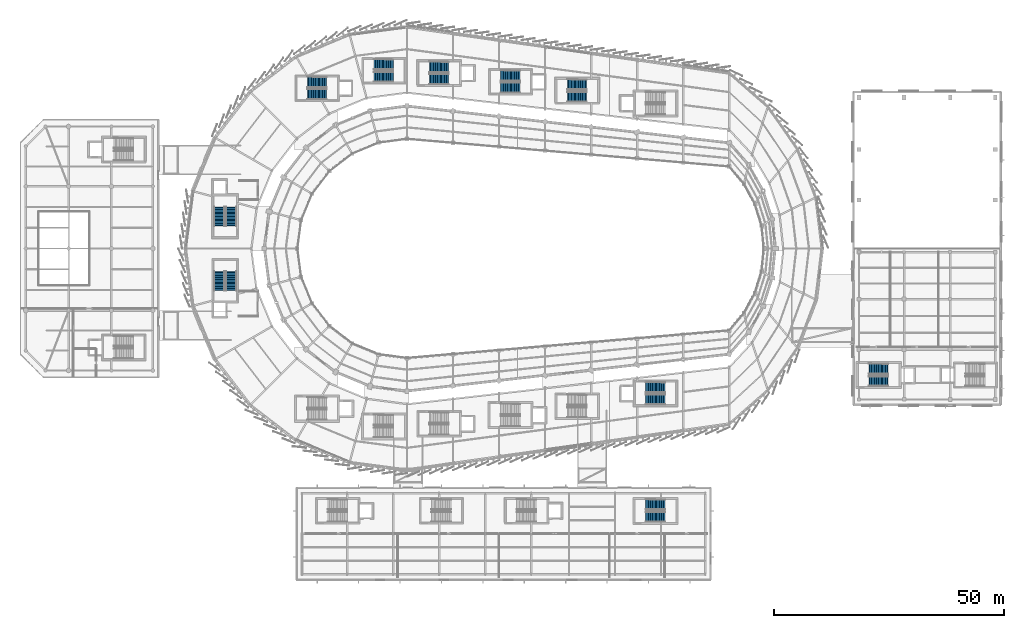
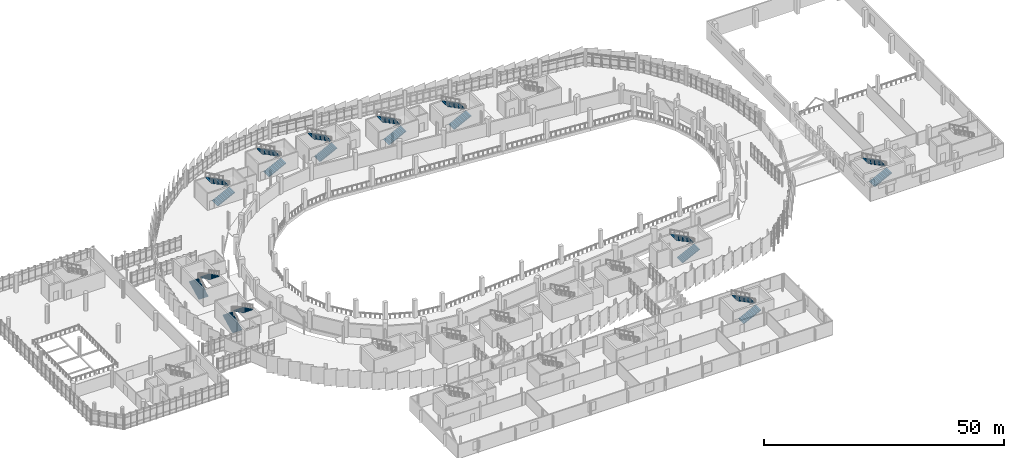
# One storey, part 111 of 125: 20 stair flights, 10 elements without a shape of their own.
"""IFC4 building model written with IfcOpenShell, lengths in metres."""

from ifc_helpers import new_model, si_unit, direction, frame, origin, place, context, subcontext, project, spatial, polyline, outline, extrude, material, type_object, element, aggregate, save


model = new_model("IFC4")

# Units and contexts
model_context = context("Model", 3, precision=1e-05, world=origin(), true_north=direction((0.0, 1.0)))
body_context = subcontext(model_context, "Body", "Model", "MODEL_VIEW")
ifc_project = project(units=[si_unit("LENGTHUNIT", "METRE"), si_unit("AREAUNIT", "SQUARE_METRE"), si_unit("VOLUMEUNIT", "CUBIC_METRE"), si_unit("PLANEANGLEUNIT", "RADIAN"), si_unit("MASSUNIT", "GRAM", prefix="KILO")], contexts=[model_context])

# Site, building, storey
site_placement = place(None, origin())
site = spatial("IfcSite", under=ifc_project, at=site_placement, CompositionType="ELEMENT")
building_placement = place(site_placement, origin())
building = spatial("IfcBuilding", under=site, at=building_placement, Name="Sohan Crest Arena", CompositionType="ELEMENT")
storey_placement = place(building_placement, frame((0.0, 0.0, 9.0)))
storey = spatial("IfcBuildingStorey", under=building, at=storey_placement, Name="L02", CompositionType="ELEMENT", Elevation=9.0)

# Stair, stair flights
ifc_material = material(Name="Concrete C40/50", Category="concrete")
stair_type_1 = type_object("IfcStairType", Name="ST-450W", PredefinedType="TWO_STRAIGHT_RUN_STAIR", material=ifc_material)
stair_1_placement = place(storey_placement, origin())
stair_1 = element("IfcStair", 1, at=stair_1_placement, inside=storey, type_object=stair_type_1, Name="Protected exit stair ST11-L02", PredefinedType="TWO_STRAIGHT_RUN_STAIR")
stair_flight_type_1 = type_object("IfcStairFlightType", Name="FL-220-15", PredefinedType="STRAIGHT", material=ifc_material)
stair_flight_1_placement = place(storey_placement, frame((149.85009765625, 19.64990234375, 0.0), z_axis=(0.0, 0.0, 1.0), x_axis=(1.0, 0.0, 0.0)))
stair_flight_1 = element("IfcStairFlight", 2, at=stair_flight_1_placement, type_object=stair_flight_type_1, Name="ST11-L02 flight 1", NumberOfRisers=15, NumberOfTreads=14, PredefinedType="STRAIGHT", RiserHeight=0.15, TreadLength=0.3, context=body_context, shape_type="SweptSolid", body=[
    extrude(outline(polyline([(0.0, 0.0), (0.0, 0.14990234375), (0.300048828125, 0.14990234375), (0.300048828125, 0.300048828125), (0.60009765625, 0.300048828125), (0.60009765625, 0.449951171875), (0.89990234375, 0.449951171875), (0.89990234375, 0.60009765625), (1.199951171875, 0.60009765625), (1.199951171875, 0.75), (1.5, 0.75), (1.5, 0.89990234375), (1.800048828125, 0.89990234375), (1.800048828125, 1.050048828125), (2.10009765625, 1.050048828125), (2.10009765625, 1.199951171875), (2.39990234375, 1.199951171875), (2.39990234375, 1.35009765625), (2.699951171875, 1.35009765625), (2.699951171875, 1.5), (3.0, 1.5), (3.0, 1.64990234375), (3.300048828125, 1.64990234375), (3.300048828125, 1.800048828125), (3.60009765625, 1.800048828125), (3.60009765625, 1.949951171875), (3.89990234375, 1.949951171875), (3.89990234375, 2.10009765625), (4.199951171875, 2.10009765625), (4.199951171875, 2.25), (4.199951171875, 1.932373046875), (0.335205078125, 0.0), (0.0, 0.0)])), frame((0.0, 1.10009765625, 0.0), z_axis=(0.0, -1.0, 0.0), x_axis=(1.0, 0.0, 0.0)), (0.0, 0.0, 1.0), 2.199951171875),
])
stair_flight_2_placement = place(storey_placement, frame((154.050048828125, 22.35009765625, 2.25), z_axis=(0.0, 0.0, 1.0), x_axis=(-1.0, 0.0, 0.0)))
stair_flight_2 = element("IfcStairFlight", 3, at=stair_flight_2_placement, type_object=stair_flight_type_1, Name="ST11-L02 flight 2", NumberOfRisers=15, NumberOfTreads=14, PredefinedType="STRAIGHT", RiserHeight=0.15, TreadLength=0.3, context=body_context, shape_type="SweptSolid", body=[
    extrude(outline(polyline([(0.0, 0.0), (0.0, 0.14990234375), (0.300048828125, 0.14990234375), (0.300048828125, 0.300048828125), (0.60009765625, 0.300048828125), (0.60009765625, 0.449951171875), (0.89990234375, 0.449951171875), (0.89990234375, 0.60009765625), (1.199951171875, 0.60009765625), (1.199951171875, 0.75), (1.5, 0.75), (1.5, 0.89990234375), (1.800048828125, 0.89990234375), (1.800048828125, 1.050048828125), (2.10009765625, 1.050048828125), (2.10009765625, 1.199951171875), (2.39990234375, 1.199951171875), (2.39990234375, 1.35009765625), (2.699951171875, 1.35009765625), (2.699951171875, 1.5), (3.0, 1.5), (3.0, 1.64990234375), (3.300048828125, 1.64990234375), (3.300048828125, 1.800048828125), (3.60009765625, 1.800048828125), (3.60009765625, 1.949951171875), (3.89990234375, 1.949951171875), (3.89990234375, 2.10009765625), (4.199951171875, 2.10009765625), (4.199951171875, 2.25), (4.199951171875, 1.932373046875), (0.335205078125, 0.0), (0.0, 0.0)])), frame((0.0, 1.10009765625, 0.0), z_axis=(0.0, -1.0, 0.0), x_axis=(1.0, 0.0, 0.0)), (0.0, 0.0, 1.0), 2.199951171875),
])
aggregate(stair_1, [stair_flight_1, stair_flight_2])

stair_2_placement = place(storey_placement, origin())
stair_2 = element("IfcStair", 4, at=stair_2_placement, inside=storey, type_object=stair_type_1, Name="Protected exit stair ST15-L02", PredefinedType="TWO_STRAIGHT_RUN_STAIR")
stair_flight_3_placement = place(storey_placement, frame((198.35009765625, 49.14990234375, 0.0), z_axis=(0.0, 0.0, 1.0), x_axis=(1.0, 0.0, 0.0)))
stair_flight_3 = element("IfcStairFlight", 5, at=stair_flight_3_placement, type_object=stair_flight_type_1, Name="ST15-L02 flight 1", NumberOfRisers=15, NumberOfTreads=14, PredefinedType="STRAIGHT", RiserHeight=0.15, TreadLength=0.3, context=body_context, shape_type="SweptSolid", body=[
    extrude(outline(polyline([(0.0, 0.0), (0.0, 0.14990234375), (0.300048828125, 0.14990234375), (0.300048828125, 0.300048828125), (0.60009765625, 0.300048828125), (0.60009765625, 0.449951171875), (0.89990234375, 0.449951171875), (0.89990234375, 0.60009765625), (1.199951171875, 0.60009765625), (1.199951171875, 0.75), (1.5, 0.75), (1.5, 0.89990234375), (1.800048828125, 0.89990234375), (1.800048828125, 1.050048828125), (2.10009765625, 1.050048828125), (2.10009765625, 1.199951171875), (2.39990234375, 1.199951171875), (2.39990234375, 1.35009765625), (2.699951171875, 1.35009765625), (2.699951171875, 1.5), (3.0, 1.5), (3.0, 1.64990234375), (3.300048828125, 1.64990234375), (3.300048828125, 1.800048828125), (3.60009765625, 1.800048828125), (3.60009765625, 1.949951171875), (3.89990234375, 1.949951171875), (3.89990234375, 2.10009765625), (4.199951171875, 2.10009765625), (4.199951171875, 2.25), (4.199951171875, 1.932373046875), (0.335205078125, 0.0), (0.0, 0.0)])), frame((0.0, 1.10009765625, 0.0), z_axis=(0.0, -1.0, 0.0), x_axis=(1.0, 0.0, 0.0)), (0.0, 0.0, 1.0), 2.199951171875),
])
stair_flight_4_placement = place(storey_placement, frame((202.550048828125, 51.85009765625, 2.25), z_axis=(0.0, 0.0, 1.0), x_axis=(-1.0, 0.0, 0.0)))
stair_flight_4 = element("IfcStairFlight", 6, at=stair_flight_4_placement, type_object=stair_flight_type_1, Name="ST15-L02 flight 2", NumberOfRisers=15, NumberOfTreads=14, PredefinedType="STRAIGHT", RiserHeight=0.15, TreadLength=0.3, context=body_context, shape_type="SweptSolid", body=[
    extrude(outline(polyline([(0.0, 0.0), (0.0, 0.14990234375), (0.300048828125, 0.14990234375), (0.300048828125, 0.300048828125), (0.60009765625, 0.300048828125), (0.60009765625, 0.449951171875), (0.89990234375, 0.449951171875), (0.89990234375, 0.60009765625), (1.199951171875, 0.60009765625), (1.199951171875, 0.75), (1.5, 0.75), (1.5, 0.89990234375), (1.800048828125, 0.89990234375), (1.800048828125, 1.050048828125), (2.10009765625, 1.050048828125), (2.10009765625, 1.199951171875), (2.39990234375, 1.199951171875), (2.39990234375, 1.35009765625), (2.699951171875, 1.35009765625), (2.699951171875, 1.5), (3.0, 1.5), (3.0, 1.64990234375), (3.300048828125, 1.64990234375), (3.300048828125, 1.800048828125), (3.60009765625, 1.800048828125), (3.60009765625, 1.949951171875), (3.89990234375, 1.949951171875), (3.89990234375, 2.10009765625), (4.199951171875, 2.10009765625), (4.199951171875, 2.25), (4.199951171875, 1.932373046875), (0.335205078125, 0.0), (0.0, 0.0)])), frame((0.0, 1.10009765625, 0.0), z_axis=(0.0, -1.0, 0.0), x_axis=(1.0, 0.0, 0.0)), (0.0, 0.0, 1.0), 2.199951171875),
])
aggregate(stair_2, [stair_flight_3, stair_flight_4])

stair_3_placement = place(storey_placement, origin())
stair_3 = element("IfcStair", 7, at=stair_3_placement, inside=storey, type_object=stair_type_1, Name="Protected exit stair ST20-L02", PredefinedType="TWO_STRAIGHT_RUN_STAIR")
stair_flight_5_placement = place(storey_placement, frame((90.85009765625, 115.2900390625, 0.0), z_axis=(0.0, 0.0, 1.0), x_axis=(1.0, 0.0, 0.0)))
stair_flight_5 = element("IfcStairFlight", 8, at=stair_flight_5_placement, type_object=stair_flight_type_1, Name="ST20-L02 flight 1", NumberOfRisers=15, NumberOfTreads=14, PredefinedType="STRAIGHT", RiserHeight=0.15, TreadLength=0.3, context=body_context, shape_type="SweptSolid", body=[
    extrude(outline(polyline([(0.0, 0.0), (0.0, 0.14990234375), (0.300048828125, 0.14990234375), (0.300048828125, 0.300048828125), (0.60009765625, 0.300048828125), (0.60009765625, 0.449951171875), (0.89990234375, 0.449951171875), (0.89990234375, 0.60009765625), (1.199951171875, 0.60009765625), (1.199951171875, 0.75), (1.5, 0.75), (1.5, 0.89990234375), (1.800048828125, 0.89990234375), (1.800048828125, 1.050048828125), (2.10009765625, 1.050048828125), (2.10009765625, 1.199951171875), (2.39990234375, 1.199951171875), (2.39990234375, 1.35009765625), (2.699951171875, 1.35009765625), (2.699951171875, 1.5), (3.0, 1.5), (3.0, 1.64990234375), (3.300048828125, 1.64990234375), (3.300048828125, 1.800048828125), (3.60009765625, 1.800048828125), (3.60009765625, 1.949951171875), (3.89990234375, 1.949951171875), (3.89990234375, 2.10009765625), (4.199951171875, 2.10009765625), (4.199951171875, 2.25), (4.199951171875, 1.932373046875), (0.335205078125, 0.0), (0.0, 0.0)])), frame((0.0, 1.10009765625, 0.0), z_axis=(0.0, -1.0, 0.0), x_axis=(1.0, 0.0, 0.0)), (0.0, 0.0, 1.0), 2.199951171875),
])
stair_flight_6_placement = place(storey_placement, frame((95.050048828125, 117.989990234375, 2.25), z_axis=(0.0, 0.0, 1.0), x_axis=(-1.0, 0.0, 0.0)))
stair_flight_6 = element("IfcStairFlight", 9, at=stair_flight_6_placement, type_object=stair_flight_type_1, Name="ST20-L02 flight 2", NumberOfRisers=15, NumberOfTreads=14, PredefinedType="STRAIGHT", RiserHeight=0.15, TreadLength=0.3, context=body_context, shape_type="SweptSolid", body=[
    extrude(outline(polyline([(0.0, 0.0), (0.0, 0.14990234375), (0.300048828125, 0.14990234375), (0.300048828125, 0.300048828125), (0.60009765625, 0.300048828125), (0.60009765625, 0.449951171875), (0.89990234375, 0.449951171875), (0.89990234375, 0.60009765625), (1.199951171875, 0.60009765625), (1.199951171875, 0.75), (1.5, 0.75), (1.5, 0.89990234375), (1.800048828125, 0.89990234375), (1.800048828125, 1.050048828125), (2.10009765625, 1.050048828125), (2.10009765625, 1.199951171875), (2.39990234375, 1.199951171875), (2.39990234375, 1.35009765625), (2.699951171875, 1.35009765625), (2.699951171875, 1.5), (3.0, 1.5), (3.0, 1.64990234375), (3.300048828125, 1.64990234375), (3.300048828125, 1.800048828125), (3.60009765625, 1.800048828125), (3.60009765625, 1.949951171875), (3.89990234375, 1.949951171875), (3.89990234375, 2.10009765625), (4.199951171875, 2.10009765625), (4.199951171875, 2.25), (4.199951171875, 1.932373046875), (0.335205078125, 0.0), (0.0, 0.0)])), frame((0.0, 1.10009765625, 0.0), z_axis=(0.0, -1.0, 0.0), x_axis=(1.0, 0.0, 0.0)), (0.0, 0.0, 1.0), 2.199951171875),
])
aggregate(stair_3, [stair_flight_5, stair_flight_6])

stair_4_placement = place(storey_placement, origin())
stair_4 = element("IfcStair", 10, at=stair_4_placement, inside=storey, type_object=stair_type_1, Name="Protected exit stair ST22-L02", PredefinedType="TWO_STRAIGHT_RUN_STAIR")
stair_flight_7_placement = place(storey_placement, frame((132.85009765625, 110.89990234375, 0.0), z_axis=(0.0, 0.0, 1.0), x_axis=(1.0, 0.0, 0.0)))
stair_flight_7 = element("IfcStairFlight", 11, at=stair_flight_7_placement, type_object=stair_flight_type_1, Name="ST22-L02 flight 1", NumberOfRisers=15, NumberOfTreads=14, PredefinedType="STRAIGHT", RiserHeight=0.15, TreadLength=0.3, context=body_context, shape_type="SweptSolid", body=[
    extrude(outline(polyline([(0.0, 0.0), (0.0, 0.14990234375), (0.300048828125, 0.14990234375), (0.300048828125, 0.300048828125), (0.60009765625, 0.300048828125), (0.60009765625, 0.449951171875), (0.89990234375, 0.449951171875), (0.89990234375, 0.60009765625), (1.199951171875, 0.60009765625), (1.199951171875, 0.75), (1.5, 0.75), (1.5, 0.89990234375), (1.800048828125, 0.89990234375), (1.800048828125, 1.050048828125), (2.10009765625, 1.050048828125), (2.10009765625, 1.199951171875), (2.39990234375, 1.199951171875), (2.39990234375, 1.35009765625), (2.699951171875, 1.35009765625), (2.699951171875, 1.5), (3.0, 1.5), (3.0, 1.64990234375), (3.300048828125, 1.64990234375), (3.300048828125, 1.800048828125), (3.60009765625, 1.800048828125), (3.60009765625, 1.949951171875), (3.89990234375, 1.949951171875), (3.89990234375, 2.10009765625), (4.199951171875, 2.10009765625), (4.199951171875, 2.25), (4.199951171875, 1.932373046875), (0.335205078125, 0.0), (0.0, 0.0)])), frame((0.0, 1.10009765625, 0.0), z_axis=(0.0, -1.0, 0.0), x_axis=(1.0, 0.0, 0.0)), (0.0, 0.0, 1.0), 2.199951171875),
])
stair_flight_8_placement = place(storey_placement, frame((137.050048828125, 113.60009765625, 2.25), z_axis=(0.0, 0.0, 1.0), x_axis=(-1.0, 0.0, 0.0)))
stair_flight_8 = element("IfcStairFlight", 12, at=stair_flight_8_placement, type_object=stair_flight_type_1, Name="ST22-L02 flight 2", NumberOfRisers=15, NumberOfTreads=14, PredefinedType="STRAIGHT", RiserHeight=0.15, TreadLength=0.3, context=body_context, shape_type="SweptSolid", body=[
    extrude(outline(polyline([(0.0, 0.0), (0.0, 0.14990234375), (0.300048828125, 0.14990234375), (0.300048828125, 0.300048828125), (0.60009765625, 0.300048828125), (0.60009765625, 0.449951171875), (0.89990234375, 0.449951171875), (0.89990234375, 0.60009765625), (1.199951171875, 0.60009765625), (1.199951171875, 0.75), (1.5, 0.75), (1.5, 0.89990234375), (1.800048828125, 0.89990234375), (1.800048828125, 1.050048828125), (2.10009765625, 1.050048828125), (2.10009765625, 1.199951171875), (2.39990234375, 1.199951171875), (2.39990234375, 1.35009765625), (2.699951171875, 1.35009765625), (2.699951171875, 1.5), (3.0, 1.5), (3.0, 1.64990234375), (3.300048828125, 1.64990234375), (3.300048828125, 1.800048828125), (3.60009765625, 1.800048828125), (3.60009765625, 1.949951171875), (3.89990234375, 1.949951171875), (3.89990234375, 2.10009765625), (4.199951171875, 2.10009765625), (4.199951171875, 2.25), (4.199951171875, 1.932373046875), (0.335205078125, 0.0), (0.0, 0.0)])), frame((0.0, 1.10009765625, 0.0), z_axis=(0.0, -1.0, 0.0), x_axis=(1.0, 0.0, 0.0)), (0.0, 0.0, 1.0), 2.199951171875),
])
aggregate(stair_4, [stair_flight_7, stair_flight_8])

stair_type_2 = type_object("IfcStairType", Name="ST-450", PredefinedType="TWO_STRAIGHT_RUN_STAIR", material=ifc_material)
stair_5_placement = place(storey_placement, origin())
stair_5 = element("IfcStair", 13, at=stair_5_placement, inside=storey, type_object=stair_type_2, Name="Protected exit stair ST01-L02", PredefinedType="TWO_STRAIGHT_RUN_STAIR")
stair_flight_type_2 = type_object("IfcStairFlightType", Name="FL-260-15", PredefinedType="STRAIGHT", material=ifc_material)
stair_flight_9_placement = place(storey_placement, frame((57.199951171875, 68.85009765625, 0.0), z_axis=(0.0, 0.0, 1.0), x_axis=(0.0, 1.0, 0.0)))
stair_flight_9 = element("IfcStairFlight", 14, at=stair_flight_9_placement, type_object=stair_flight_type_2, Name="ST01-L02 flight 1", NumberOfRisers=15, NumberOfTreads=14, PredefinedType="STRAIGHT", RiserHeight=0.15, TreadLength=0.3, context=body_context, shape_type="SweptSolid", body=[
    extrude(outline(polyline([(0.0, 0.0), (0.0, 0.14990234375), (0.300048828125, 0.14990234375), (0.300048828125, 0.300048828125), (0.60009765625, 0.300048828125), (0.60009765625, 0.449951171875), (0.89990234375, 0.449951171875), (0.89990234375, 0.60009765625), (1.199951171875, 0.60009765625), (1.199951171875, 0.75), (1.5, 0.75), (1.5, 0.89990234375), (1.800048828125, 0.89990234375), (1.800048828125, 1.050048828125), (2.10009765625, 1.050048828125), (2.10009765625, 1.199951171875), (2.39990234375, 1.199951171875), (2.39990234375, 1.35009765625), (2.699951171875, 1.35009765625), (2.699951171875, 1.5), (3.0, 1.5), (3.0, 1.64990234375), (3.300048828125, 1.64990234375), (3.300048828125, 1.800048828125), (3.60009765625, 1.800048828125), (3.60009765625, 1.949951171875), (3.89990234375, 1.949951171875), (3.89990234375, 2.10009765625), (4.199951171875, 2.10009765625), (4.199951171875, 2.25), (4.199951171875, 1.932373046875), (0.335205078125, 0.0), (0.0, 0.0)])), frame((0.0, 1.14990234375, 0.0), z_axis=(0.0, -1.0, 0.0), x_axis=(1.0, 0.0, 0.0)), (0.0, 0.0, 1.0), 2.300048828125),
])
stair_flight_10_placement = place(storey_placement, frame((59.800048828125, 73.050048828125, 2.25), z_axis=(0.0, 0.0, 1.0), x_axis=(0.0, -1.0, 0.0)))
stair_flight_10 = element("IfcStairFlight", 15, at=stair_flight_10_placement, type_object=stair_flight_type_2, Name="ST01-L02 flight 2", NumberOfRisers=15, NumberOfTreads=14, PredefinedType="STRAIGHT", RiserHeight=0.15, TreadLength=0.3, context=body_context, shape_type="SweptSolid", body=[
    extrude(outline(polyline([(0.0, 0.0), (0.0, 0.14990234375), (0.300048828125, 0.14990234375), (0.300048828125, 0.300048828125), (0.60009765625, 0.300048828125), (0.60009765625, 0.449951171875), (0.89990234375, 0.449951171875), (0.89990234375, 0.60009765625), (1.199951171875, 0.60009765625), (1.199951171875, 0.75), (1.5, 0.75), (1.5, 0.89990234375), (1.800048828125, 0.89990234375), (1.800048828125, 1.050048828125), (2.10009765625, 1.050048828125), (2.10009765625, 1.199951171875), (2.39990234375, 1.199951171875), (2.39990234375, 1.35009765625), (2.699951171875, 1.35009765625), (2.699951171875, 1.5), (3.0, 1.5), (3.0, 1.64990234375), (3.300048828125, 1.64990234375), (3.300048828125, 1.800048828125), (3.60009765625, 1.800048828125), (3.60009765625, 1.949951171875), (3.89990234375, 1.949951171875), (3.89990234375, 2.10009765625), (4.199951171875, 2.10009765625), (4.199951171875, 2.25), (4.199951171875, 1.932373046875), (0.335205078125, 0.0), (0.0, 0.0)])), frame((0.0, 1.14990234375, 0.0), z_axis=(0.0, -1.0, 0.0), x_axis=(1.0, 0.0, 0.0)), (0.0, 0.0, 1.0), 2.300048828125),
])
aggregate(stair_5, [stair_flight_9, stair_flight_10])

stair_6_placement = place(storey_placement, origin())
stair_6 = element("IfcStair", 16, at=stair_6_placement, inside=storey, type_object=stair_type_2, Name="Protected exit stair ST02-L02", PredefinedType="TWO_STRAIGHT_RUN_STAIR")
stair_flight_11_placement = place(storey_placement, frame((57.199951171875, 82.85009765625, 0.0), z_axis=(0.0, 0.0, 1.0), x_axis=(0.0, 1.0, 0.0)))
stair_flight_11 = element("IfcStairFlight", 17, at=stair_flight_11_placement, type_object=stair_flight_type_2, Name="ST02-L02 flight 1", NumberOfRisers=15, NumberOfTreads=14, PredefinedType="STRAIGHT", RiserHeight=0.15, TreadLength=0.3, context=body_context, shape_type="SweptSolid", body=[
    extrude(outline(polyline([(0.0, 0.0), (0.0, 0.14990234375), (0.300048828125, 0.14990234375), (0.300048828125, 0.300048828125), (0.60009765625, 0.300048828125), (0.60009765625, 0.449951171875), (0.89990234375, 0.449951171875), (0.89990234375, 0.60009765625), (1.199951171875, 0.60009765625), (1.199951171875, 0.75), (1.5, 0.75), (1.5, 0.89990234375), (1.800048828125, 0.89990234375), (1.800048828125, 1.050048828125), (2.10009765625, 1.050048828125), (2.10009765625, 1.199951171875), (2.39990234375, 1.199951171875), (2.39990234375, 1.35009765625), (2.699951171875, 1.35009765625), (2.699951171875, 1.5), (3.0, 1.5), (3.0, 1.64990234375), (3.300048828125, 1.64990234375), (3.300048828125, 1.800048828125), (3.60009765625, 1.800048828125), (3.60009765625, 1.949951171875), (3.89990234375, 1.949951171875), (3.89990234375, 2.10009765625), (4.199951171875, 2.10009765625), (4.199951171875, 2.25), (4.199951171875, 1.932373046875), (0.335205078125, 0.0), (0.0, 0.0)])), frame((0.0, 1.14990234375, 0.0), z_axis=(0.0, -1.0, 0.0), x_axis=(1.0, 0.0, 0.0)), (0.0, 0.0, 1.0), 2.300048828125),
])
stair_flight_12_placement = place(storey_placement, frame((59.800048828125, 87.050048828125, 2.25), z_axis=(0.0, 0.0, 1.0), x_axis=(0.0, -1.0, 0.0)))
stair_flight_12 = element("IfcStairFlight", 18, at=stair_flight_12_placement, type_object=stair_flight_type_2, Name="ST02-L02 flight 2", NumberOfRisers=15, NumberOfTreads=14, PredefinedType="STRAIGHT", RiserHeight=0.15, TreadLength=0.3, context=body_context, shape_type="SweptSolid", body=[
    extrude(outline(polyline([(0.0, 0.0), (0.0, 0.14990234375), (0.300048828125, 0.14990234375), (0.300048828125, 0.300048828125), (0.60009765625, 0.300048828125), (0.60009765625, 0.449951171875), (0.89990234375, 0.449951171875), (0.89990234375, 0.60009765625), (1.199951171875, 0.60009765625), (1.199951171875, 0.75), (1.5, 0.75), (1.5, 0.89990234375), (1.800048828125, 0.89990234375), (1.800048828125, 1.050048828125), (2.10009765625, 1.050048828125), (2.10009765625, 1.199951171875), (2.39990234375, 1.199951171875), (2.39990234375, 1.35009765625), (2.699951171875, 1.35009765625), (2.699951171875, 1.5), (3.0, 1.5), (3.0, 1.64990234375), (3.300048828125, 1.64990234375), (3.300048828125, 1.800048828125), (3.60009765625, 1.800048828125), (3.60009765625, 1.949951171875), (3.89990234375, 1.949951171875), (3.89990234375, 2.10009765625), (4.199951171875, 2.10009765625), (4.199951171875, 2.25), (4.199951171875, 1.932373046875), (0.335205078125, 0.0), (0.0, 0.0)])), frame((0.0, 1.14990234375, 0.0), z_axis=(0.0, -1.0, 0.0), x_axis=(1.0, 0.0, 0.0)), (0.0, 0.0, 1.0), 2.300048828125),
])
aggregate(stair_6, [stair_flight_11, stair_flight_12])

stair_7_placement = place(storey_placement, origin())
stair_7 = element("IfcStair", 19, at=stair_7_placement, inside=storey, type_object=stair_type_2, Name="Protected exit stair ST04-L02", PredefinedType="TWO_STRAIGHT_RUN_STAIR")
stair_flight_13_placement = place(storey_placement, frame((76.35009765625, 111.5, 0.0), z_axis=(0.0, 0.0, 1.0), x_axis=(1.0, 0.0, 0.0)))
stair_flight_13 = element("IfcStairFlight", 20, at=stair_flight_13_placement, type_object=stair_flight_type_2, Name="ST04-L02 flight 1", NumberOfRisers=15, NumberOfTreads=14, PredefinedType="STRAIGHT", RiserHeight=0.15, TreadLength=0.3, context=body_context, shape_type="SweptSolid", body=[
    extrude(outline(polyline([(0.0, 0.0), (0.0, 0.14990234375), (0.300048828125, 0.14990234375), (0.300048828125, 0.300048828125), (0.60009765625, 0.300048828125), (0.60009765625, 0.449951171875), (0.89990234375, 0.449951171875), (0.89990234375, 0.60009765625), (1.199951171875, 0.60009765625), (1.199951171875, 0.75), (1.5, 0.75), (1.5, 0.89990234375), (1.800048828125, 0.89990234375), (1.800048828125, 1.050048828125), (2.10009765625, 1.050048828125), (2.10009765625, 1.199951171875), (2.39990234375, 1.199951171875), (2.39990234375, 1.35009765625), (2.699951171875, 1.35009765625), (2.699951171875, 1.5), (3.0, 1.5), (3.0, 1.64990234375), (3.300048828125, 1.64990234375), (3.300048828125, 1.800048828125), (3.60009765625, 1.800048828125), (3.60009765625, 1.949951171875), (3.89990234375, 1.949951171875), (3.89990234375, 2.10009765625), (4.199951171875, 2.10009765625), (4.199951171875, 2.25), (4.199951171875, 1.932373046875), (0.335205078125, 0.0), (0.0, 0.0)])), frame((0.0, 1.14990234375, 0.0), z_axis=(0.0, -1.0, 0.0), x_axis=(1.0, 0.0, 0.0)), (0.0, 0.0, 1.0), 2.300048828125),
])
stair_flight_14_placement = place(storey_placement, frame((80.550048828125, 114.10009765625, 2.25), z_axis=(0.0, 0.0, 1.0), x_axis=(-1.0, 0.0, 0.0)))
stair_flight_14 = element("IfcStairFlight", 21, at=stair_flight_14_placement, type_object=stair_flight_type_2, Name="ST04-L02 flight 2", NumberOfRisers=15, NumberOfTreads=14, PredefinedType="STRAIGHT", RiserHeight=0.15, TreadLength=0.3, context=body_context, shape_type="SweptSolid", body=[
    extrude(outline(polyline([(0.0, 0.0), (0.0, 0.14990234375), (0.300048828125, 0.14990234375), (0.300048828125, 0.300048828125), (0.60009765625, 0.300048828125), (0.60009765625, 0.449951171875), (0.89990234375, 0.449951171875), (0.89990234375, 0.60009765625), (1.199951171875, 0.60009765625), (1.199951171875, 0.75), (1.5, 0.75), (1.5, 0.89990234375), (1.800048828125, 0.89990234375), (1.800048828125, 1.050048828125), (2.10009765625, 1.050048828125), (2.10009765625, 1.199951171875), (2.39990234375, 1.199951171875), (2.39990234375, 1.35009765625), (2.699951171875, 1.35009765625), (2.699951171875, 1.5), (3.0, 1.5), (3.0, 1.64990234375), (3.300048828125, 1.64990234375), (3.300048828125, 1.800048828125), (3.60009765625, 1.800048828125), (3.60009765625, 1.949951171875), (3.89990234375, 1.949951171875), (3.89990234375, 2.10009765625), (4.199951171875, 2.10009765625), (4.199951171875, 2.25), (4.199951171875, 1.932373046875), (0.335205078125, 0.0), (0.0, 0.0)])), frame((0.0, 1.14990234375, 0.0), z_axis=(0.0, -1.0, 0.0), x_axis=(1.0, 0.0, 0.0)), (0.0, 0.0, 1.0), 2.300048828125),
])
aggregate(stair_7, [stair_flight_13, stair_flight_14])

stair_8_placement = place(storey_placement, origin())
stair_8 = element("IfcStair", 22, at=stair_8_placement, inside=storey, type_object=stair_type_2, Name="Protected exit stair ST06-L02", PredefinedType="TWO_STRAIGHT_RUN_STAIR")
stair_flight_15_placement = place(storey_placement, frame((102.85009765625, 114.800048828125, 0.0), z_axis=(0.0, 0.0, 1.0), x_axis=(1.0, 0.0, 0.0)))
stair_flight_15 = element("IfcStairFlight", 23, at=stair_flight_15_placement, type_object=stair_flight_type_2, Name="ST06-L02 flight 1", NumberOfRisers=15, NumberOfTreads=14, PredefinedType="STRAIGHT", RiserHeight=0.15, TreadLength=0.3, context=body_context, shape_type="SweptSolid", body=[
    extrude(outline(polyline([(0.0, 0.0), (0.0, 0.14990234375), (0.300048828125, 0.14990234375), (0.300048828125, 0.300048828125), (0.60009765625, 0.300048828125), (0.60009765625, 0.449951171875), (0.89990234375, 0.449951171875), (0.89990234375, 0.60009765625), (1.199951171875, 0.60009765625), (1.199951171875, 0.75), (1.5, 0.75), (1.5, 0.89990234375), (1.800048828125, 0.89990234375), (1.800048828125, 1.050048828125), (2.10009765625, 1.050048828125), (2.10009765625, 1.199951171875), (2.39990234375, 1.199951171875), (2.39990234375, 1.35009765625), (2.699951171875, 1.35009765625), (2.699951171875, 1.5), (3.0, 1.5), (3.0, 1.64990234375), (3.300048828125, 1.64990234375), (3.300048828125, 1.800048828125), (3.60009765625, 1.800048828125), (3.60009765625, 1.949951171875), (3.89990234375, 1.949951171875), (3.89990234375, 2.10009765625), (4.199951171875, 2.10009765625), (4.199951171875, 2.25), (4.199951171875, 1.932373046875), (0.335205078125, 0.0), (0.0, 0.0)])), frame((0.0, 1.14990234375, 0.0), z_axis=(0.0, -1.0, 0.0), x_axis=(1.0, 0.0, 0.0)), (0.0, 0.0, 1.0), 2.300048828125),
])
stair_flight_16_placement = place(storey_placement, frame((107.050048828125, 117.39990234375, 2.25), z_axis=(0.0, 0.0, 1.0), x_axis=(-1.0, 0.0, 0.0)))
stair_flight_16 = element("IfcStairFlight", 24, at=stair_flight_16_placement, type_object=stair_flight_type_2, Name="ST06-L02 flight 2", NumberOfRisers=15, NumberOfTreads=14, PredefinedType="STRAIGHT", RiserHeight=0.15, TreadLength=0.3, context=body_context, shape_type="SweptSolid", body=[
    extrude(outline(polyline([(0.0, 0.0), (0.0, 0.14990234375), (0.300048828125, 0.14990234375), (0.300048828125, 0.300048828125), (0.60009765625, 0.300048828125), (0.60009765625, 0.449951171875), (0.89990234375, 0.449951171875), (0.89990234375, 0.60009765625), (1.199951171875, 0.60009765625), (1.199951171875, 0.75), (1.5, 0.75), (1.5, 0.89990234375), (1.800048828125, 0.89990234375), (1.800048828125, 1.050048828125), (2.10009765625, 1.050048828125), (2.10009765625, 1.199951171875), (2.39990234375, 1.199951171875), (2.39990234375, 1.35009765625), (2.699951171875, 1.35009765625), (2.699951171875, 1.5), (3.0, 1.5), (3.0, 1.64990234375), (3.300048828125, 1.64990234375), (3.300048828125, 1.800048828125), (3.60009765625, 1.800048828125), (3.60009765625, 1.949951171875), (3.89990234375, 1.949951171875), (3.89990234375, 2.10009765625), (4.199951171875, 2.10009765625), (4.199951171875, 2.25), (4.199951171875, 1.932373046875), (0.335205078125, 0.0), (0.0, 0.0)])), frame((0.0, 1.14990234375, 0.0), z_axis=(0.0, -1.0, 0.0), x_axis=(1.0, 0.0, 0.0)), (0.0, 0.0, 1.0), 2.300048828125),
])
aggregate(stair_8, [stair_flight_15, stair_flight_16])

stair_9_placement = place(storey_placement, origin())
stair_9 = element("IfcStair", 25, at=stair_9_placement, inside=storey, type_object=stair_type_2, Name="Protected exit stair ST08-L02", PredefinedType="TWO_STRAIGHT_RUN_STAIR")
stair_flight_17_placement = place(storey_placement, frame((118.35009765625, 112.89990234375, 0.0), z_axis=(0.0, 0.0, 1.0), x_axis=(1.0, 0.0, 0.0)))
stair_flight_17 = element("IfcStairFlight", 26, at=stair_flight_17_placement, type_object=stair_flight_type_2, Name="ST08-L02 flight 1", NumberOfRisers=15, NumberOfTreads=14, PredefinedType="STRAIGHT", RiserHeight=0.15, TreadLength=0.3, context=body_context, shape_type="SweptSolid", body=[
    extrude(outline(polyline([(0.0, 0.0), (0.0, 0.14990234375), (0.300048828125, 0.14990234375), (0.300048828125, 0.300048828125), (0.60009765625, 0.300048828125), (0.60009765625, 0.449951171875), (0.89990234375, 0.449951171875), (0.89990234375, 0.60009765625), (1.199951171875, 0.60009765625), (1.199951171875, 0.75), (1.5, 0.75), (1.5, 0.89990234375), (1.800048828125, 0.89990234375), (1.800048828125, 1.050048828125), (2.10009765625, 1.050048828125), (2.10009765625, 1.199951171875), (2.39990234375, 1.199951171875), (2.39990234375, 1.35009765625), (2.699951171875, 1.35009765625), (2.699951171875, 1.5), (3.0, 1.5), (3.0, 1.64990234375), (3.300048828125, 1.64990234375), (3.300048828125, 1.800048828125), (3.60009765625, 1.800048828125), (3.60009765625, 1.949951171875), (3.89990234375, 1.949951171875), (3.89990234375, 2.10009765625), (4.199951171875, 2.10009765625), (4.199951171875, 2.25), (4.199951171875, 1.932373046875), (0.335205078125, 0.0), (0.0, 0.0)])), frame((0.0, 1.14990234375, 0.0), z_axis=(0.0, -1.0, 0.0), x_axis=(1.0, 0.0, 0.0)), (0.0, 0.0, 1.0), 2.300048828125),
])
stair_flight_18_placement = place(storey_placement, frame((122.550048828125, 115.5, 2.25), z_axis=(0.0, 0.0, 1.0), x_axis=(-1.0, 0.0, 0.0)))
stair_flight_18 = element("IfcStairFlight", 27, at=stair_flight_18_placement, type_object=stair_flight_type_2, Name="ST08-L02 flight 2", NumberOfRisers=15, NumberOfTreads=14, PredefinedType="STRAIGHT", RiserHeight=0.15, TreadLength=0.3, context=body_context, shape_type="SweptSolid", body=[
    extrude(outline(polyline([(0.0, 0.0), (0.0, 0.14990234375), (0.300048828125, 0.14990234375), (0.300048828125, 0.300048828125), (0.60009765625, 0.300048828125), (0.60009765625, 0.449951171875), (0.89990234375, 0.449951171875), (0.89990234375, 0.60009765625), (1.199951171875, 0.60009765625), (1.199951171875, 0.75), (1.5, 0.75), (1.5, 0.89990234375), (1.800048828125, 0.89990234375), (1.800048828125, 1.050048828125), (2.10009765625, 1.050048828125), (2.10009765625, 1.199951171875), (2.39990234375, 1.199951171875), (2.39990234375, 1.35009765625), (2.699951171875, 1.35009765625), (2.699951171875, 1.5), (3.0, 1.5), (3.0, 1.64990234375), (3.300048828125, 1.64990234375), (3.300048828125, 1.800048828125), (3.60009765625, 1.800048828125), (3.60009765625, 1.949951171875), (3.89990234375, 1.949951171875), (3.89990234375, 2.10009765625), (4.199951171875, 2.10009765625), (4.199951171875, 2.25), (4.199951171875, 1.932373046875), (0.335205078125, 0.0), (0.0, 0.0)])), frame((0.0, 1.14990234375, 0.0), z_axis=(0.0, -1.0, 0.0), x_axis=(1.0, 0.0, 0.0)), (0.0, 0.0, 1.0), 2.300048828125),
])
aggregate(stair_9, [stair_flight_17, stair_flight_18])

stair_10_placement = place(storey_placement, origin())
stair_10 = element("IfcStair", 28, at=stair_10_placement, inside=storey, type_object=stair_type_2, Name="Protected exit stair ST09-L02", PredefinedType="TWO_STRAIGHT_RUN_STAIR")
stair_flight_19_placement = place(storey_placement, frame((149.85009765625, 45.199951171875, 0.0), z_axis=(0.0, 0.0, 1.0), x_axis=(1.0, 0.0, 0.0)))
stair_flight_19 = element("IfcStairFlight", 29, at=stair_flight_19_placement, type_object=stair_flight_type_2, Name="ST09-L02 flight 1", NumberOfRisers=15, NumberOfTreads=14, PredefinedType="STRAIGHT", RiserHeight=0.15, TreadLength=0.3, context=body_context, shape_type="SweptSolid", body=[
    extrude(outline(polyline([(0.0, 0.0), (0.0, 0.14990234375), (0.300048828125, 0.14990234375), (0.300048828125, 0.300048828125), (0.60009765625, 0.300048828125), (0.60009765625, 0.449951171875), (0.89990234375, 0.449951171875), (0.89990234375, 0.60009765625), (1.199951171875, 0.60009765625), (1.199951171875, 0.75), (1.5, 0.75), (1.5, 0.89990234375), (1.800048828125, 0.89990234375), (1.800048828125, 1.050048828125), (2.10009765625, 1.050048828125), (2.10009765625, 1.199951171875), (2.39990234375, 1.199951171875), (2.39990234375, 1.35009765625), (2.699951171875, 1.35009765625), (2.699951171875, 1.5), (3.0, 1.5), (3.0, 1.64990234375), (3.300048828125, 1.64990234375), (3.300048828125, 1.800048828125), (3.60009765625, 1.800048828125), (3.60009765625, 1.949951171875), (3.89990234375, 1.949951171875), (3.89990234375, 2.10009765625), (4.199951171875, 2.10009765625), (4.199951171875, 2.25), (4.199951171875, 1.932373046875), (0.335205078125, 0.0), (0.0, 0.0)])), frame((0.0, 1.14990234375, 0.0), z_axis=(0.0, -1.0, 0.0), x_axis=(1.0, 0.0, 0.0)), (0.0, 0.0, 1.0), 2.300048828125),
])
stair_flight_20_placement = place(storey_placement, frame((154.050048828125, 47.800048828125, 2.25), z_axis=(0.0, 0.0, 1.0), x_axis=(-1.0, 0.0, 0.0)))
stair_flight_20 = element("IfcStairFlight", 30, at=stair_flight_20_placement, type_object=stair_flight_type_2, Name="ST09-L02 flight 2", NumberOfRisers=15, NumberOfTreads=14, PredefinedType="STRAIGHT", RiserHeight=0.15, TreadLength=0.3, context=body_context, shape_type="SweptSolid", body=[
    extrude(outline(polyline([(0.0, 0.0), (0.0, 0.14990234375), (0.300048828125, 0.14990234375), (0.300048828125, 0.300048828125), (0.60009765625, 0.300048828125), (0.60009765625, 0.449951171875), (0.89990234375, 0.449951171875), (0.89990234375, 0.60009765625), (1.199951171875, 0.60009765625), (1.199951171875, 0.75), (1.5, 0.75), (1.5, 0.89990234375), (1.800048828125, 0.89990234375), (1.800048828125, 1.050048828125), (2.10009765625, 1.050048828125), (2.10009765625, 1.199951171875), (2.39990234375, 1.199951171875), (2.39990234375, 1.35009765625), (2.699951171875, 1.35009765625), (2.699951171875, 1.5), (3.0, 1.5), (3.0, 1.64990234375), (3.300048828125, 1.64990234375), (3.300048828125, 1.800048828125), (3.60009765625, 1.800048828125), (3.60009765625, 1.949951171875), (3.89990234375, 1.949951171875), (3.89990234375, 2.10009765625), (4.199951171875, 2.10009765625), (4.199951171875, 2.25), (4.199951171875, 1.932373046875), (0.335205078125, 0.0), (0.0, 0.0)])), frame((0.0, 1.14990234375, 0.0), z_axis=(0.0, -1.0, 0.0), x_axis=(1.0, 0.0, 0.0)), (0.0, 0.0, 1.0), 2.300048828125),
])
aggregate(stair_10, [stair_flight_19, stair_flight_20])

save(model, "model.ifc")
